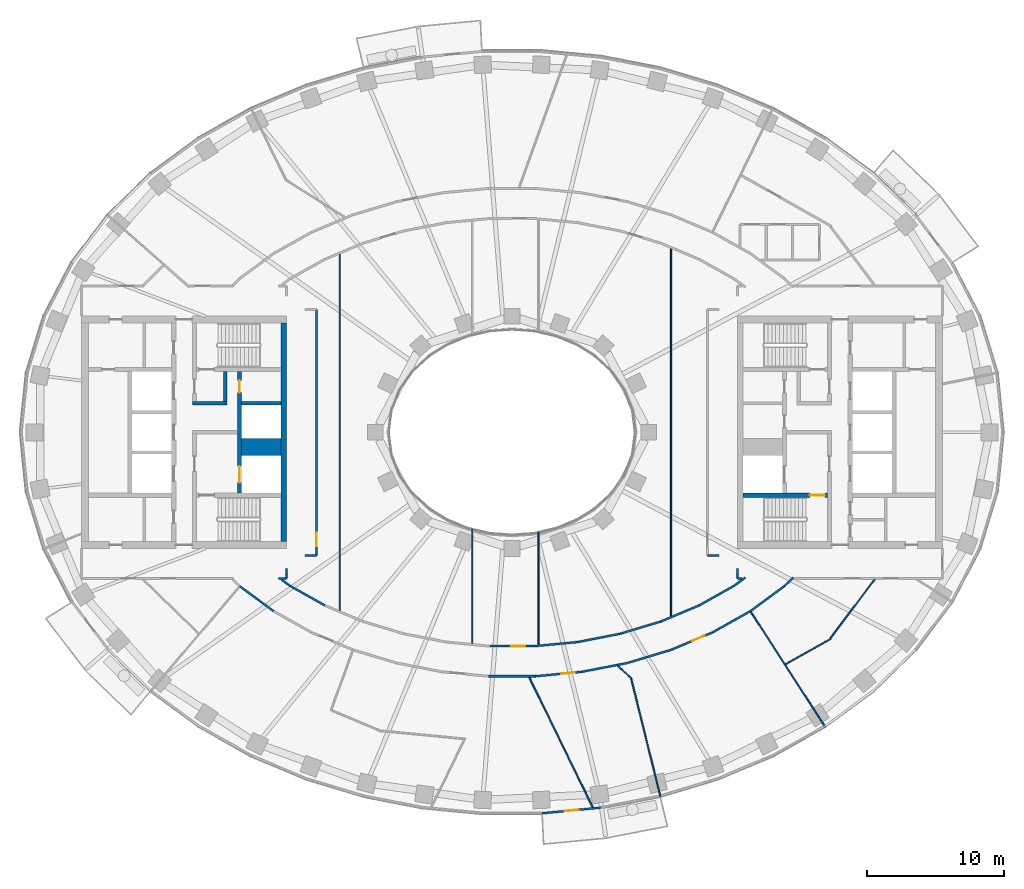
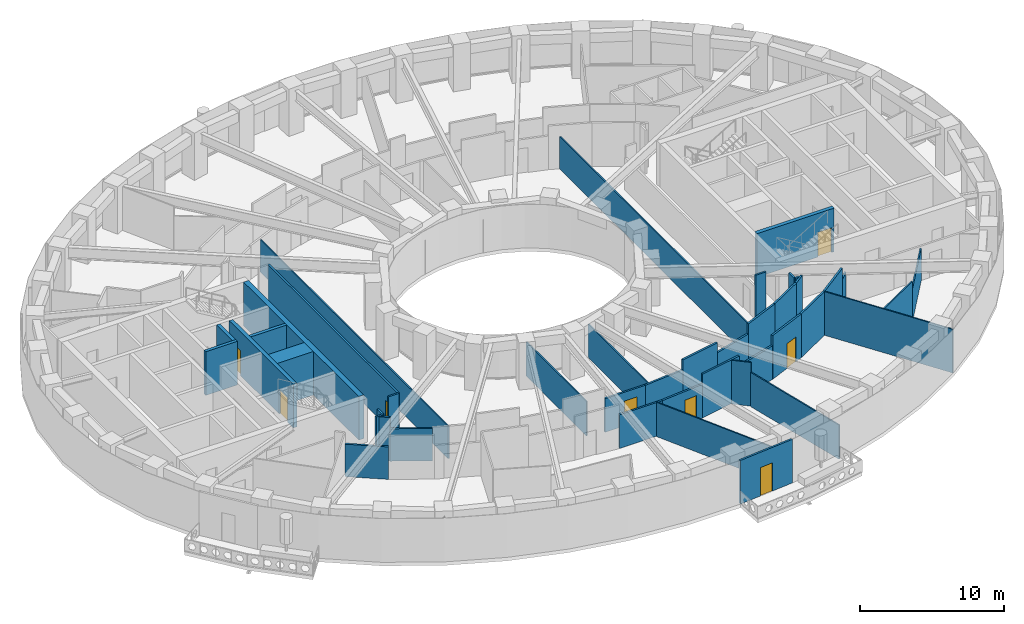
# One storey, part 4 of 17: 43 walls, 8 doors, 8 openings.
"""IFC4 building model written with IfcOpenShell, lengths in metres."""

from ifc_helpers import new_model, si_unit, direction, frame, frame_2d, origin, place, context, subcontext, project, spatial, rectangle, extrude, material, layer, layer_set, type_object, element, fill, save


model = new_model("IFC4")

# Units and contexts
model_context = context("Model", 3, precision=1e-05, world=origin(), true_north=direction((0.0, 1.0)))
body_context = subcontext(model_context, "Body", "Model", "MODEL_VIEW")
ifc_project = project(units=[si_unit("LENGTHUNIT", "METRE"), si_unit("AREAUNIT", "SQUARE_METRE"), si_unit("VOLUMEUNIT", "CUBIC_METRE"), si_unit("PLANEANGLEUNIT", "RADIAN"), si_unit("MASSUNIT", "GRAM", prefix="KILO")], contexts=[model_context])

# Site, building, storey
site_placement = place(None, origin())
site = spatial("IfcSite", under=ifc_project, at=site_placement, CompositionType="ELEMENT")
building_placement = place(site_placement, origin())
building = spatial("IfcBuilding", under=site, at=building_placement, Name="Noorbagh Ring Tower", CompositionType="ELEMENT")
storey_placement = place(building_placement, frame((0.0, 0.0, 120.0)))
storey = spatial("IfcBuildingStorey", under=building, at=storey_placement, Name="L27", CompositionType="ELEMENT", Elevation=120.0)

# Walls
ifc_material_1 = material(Name="Concrete C70/85", Category="concrete")
ifc_layer_1 = layer(ifc_material_1, 1.25)
ifc_layer_set_1 = layer_set([ifc_layer_1], Name="Concrete C70/85")
wall_type_1 = type_object("IfcWallType", Name="CORE-WALL-1250-C70-85-EI120", PredefinedType="SHEAR", material=ifc_layer_set_1)
wall_1_placement = place(storey_placement, frame((-16.89990234375, -1.074951171875, 0.0), z_axis=(0.0, 0.0, 1.0), x_axis=(-1.0, 0.0, 0.0)))
element("IfcWall", 1, at=wall_1_placement, inside=storey, type_object=wall_type_1, Name="Core wall W", PredefinedType="SHEAR", context=body_context, shape_type="SweptSolid", body=[
    extrude(rectangle(XDim=2.900146484375, YDim=1.25, at=frame_2d((1.4501953125, 0.0))), origin(), (0.0, 0.0, 1.0), 3.699951171875),
])
ifc_material_2 = material(Name="Concrete C70/85", Category="concrete")
ifc_layer_2 = layer(ifc_material_2, 0.25)
ifc_layer_set_2 = layer_set([ifc_layer_2], Name="Concrete C70/85")
wall_type_2 = type_object("IfcWallType", Name="CORE-WALL-250-C70-85-EI120", PredefinedType="SHEAR", material=ifc_layer_set_2)
wall_2_placement = place(storey_placement, frame((-16.89990234375, 2.125, 0.0), z_axis=(0.0, 0.0, 1.0), x_axis=(-1.0, 0.0, 0.0)))
element("IfcWall", 2, at=wall_2_placement, inside=storey, type_object=wall_type_2, Name="Core wall W", PredefinedType="SHEAR", context=body_context, shape_type="SweptSolid", body=[
    extrude(rectangle(XDim=2.900146484375, YDim=0.25, at=frame_2d((1.4501953125, 0.0))), origin(), (0.0, 0.0, 1.0), 3.699951171875),
])
ifc_material_3 = material(Name="Concrete C70/85", Category="concrete")
ifc_layer_3 = layer(ifc_material_3, 0.25)
ifc_layer_set_3 = layer_set([ifc_layer_3], Name="Concrete C70/85")
wall_type_3 = type_object("IfcWallType", Name="CORE-WALL-250-C70-85-EI240", PredefinedType="SHEAR", material=ifc_layer_set_3)
wall_3_placement = place(storey_placement, frame((-20.85009765625, 2.125, 0.0), z_axis=(0.0, 0.0, 1.0), x_axis=(-1.0, 0.0, 0.0)))
element("IfcWall", 3, at=wall_3_placement, inside=storey, type_object=wall_type_3, Name="Core wall W", PredefinedType="SHEAR", context=body_context, shape_type="SweptSolid", body=[
    extrude(rectangle(XDim=2.52978515625, YDim=0.25, at=frame_2d((1.264892578125, 0.0))), origin(), (0.0, 0.0, 1.0), 3.699951171875),
])
wall_4_placement = place(storey_placement, frame((-20.97509765625, 2.25, 0.0), z_axis=(0.0, 0.0, 1.0), x_axis=(0.0, 1.0, 0.0)))
element("IfcWall", 4, at=wall_4_placement, inside=storey, type_object=wall_type_3, Name="Core wall W", PredefinedType="SHEAR", context=body_context, shape_type="SweptSolid", body=[
    extrude(rectangle(XDim=2.199951171875, YDim=0.25, at=frame_2d((1.10009765625, 0.0))), origin(), (0.0, 0.0, 1.0), 3.699951171875),
])

# Wall, openings, doors
ifc_material_4 = material(Name="Concrete C70/85", Category="concrete")
ifc_layer_4 = layer(ifc_material_4, 0.300048828125)
ifc_layer_set_4 = layer_set([ifc_layer_4], Name="Concrete C70/85")
wall_type_4 = type_object("IfcWallType", Name="CORE-WALL-300-C70-85-EI120", PredefinedType="SHEAR", material=ifc_layer_set_4)
wall_5_placement = place(storey_placement, frame((-19.949951171875, -4.449951171875, 0.0), z_axis=(0.0, 0.0, 1.0), x_axis=(0.0, 1.0, 0.0)))
wall_5 = element("IfcWall", 5, at=wall_5_placement, inside=storey, type_object=wall_type_4, Name="Core wall W", PredefinedType="SHEAR", context=body_context, shape_type="SweptSolid", body=[
    extrude(rectangle(XDim=8.89990234375, YDim=0.300048828125, at=frame_2d((4.449951171875, 0.0))), origin(), (0.0, 0.0, 1.0), 3.699951171875),
])
opening_1_placement = place(wall_5_placement, frame((0.77490234375, 0.0, 0.0)))
opening_1 = element("IfcOpeningElement", 6, at=opening_1_placement, cuts=wall_5, Name="Opening L27-CW01", PredefinedType="OPENING", context=body_context, shape_type="SweptSolid", body=[
    extrude(rectangle(XDim=1.199951171875, YDim=2.10009765625, at=frame_2d((0.60009765625, 1.050048828125))), frame((0.0, 0.16015625, 0.0), z_axis=(0.0, -1.0, 0.0), x_axis=(1.0, 0.0, 0.0)), (0.0, 0.0, 1.0), 0.320068359375),
])
opening_2_placement = place(wall_5_placement, frame((7.35009765625, 0.0, 0.0)))
opening_2 = element("IfcOpeningElement", 7, at=opening_2_placement, cuts=wall_5, Name="Opening L27-CW11", PredefinedType="OPENING", context=body_context, shape_type="SweptSolid", body=[
    extrude(rectangle(XDim=0.89990234375, YDim=2.10009765625, at=frame_2d((0.449951171875, 1.050048828125))), frame((0.0, 0.16015625, 0.0), z_axis=(0.0, -1.0, 0.0), x_axis=(1.0, 0.0, 0.0)), (0.0, 0.0, 1.0), 0.320068359375),
])
ifc_material_5 = material(Name="Steel door leaf", Category="steel")
door_type_1 = type_object("IfcDoorType", Name="CORE-DOOR-DROOM", OperationType="SINGLE_SWING_LEFT", PredefinedType="DOOR", material=ifc_material_5)
door_1_placement = place(opening_2_placement, origin())
door_1 = element("IfcDoor", 8, at=door_1_placement, inside=storey, type_object=door_type_1, Name="Core room door L27-CW11", OperationType="SINGLE_SWING_LEFT", OverallHeight=2.10009765625, OverallWidth=0.89990234375, PredefinedType="DOOR", context=body_context, shape_type="SweptSolid", body=[
    extrude(rectangle(XDim=0.89990234375, YDim=2.10009765625, at=frame_2d((0.449951171875, 1.050048828125))), frame((0.0, 0.02490234375, 0.0), z_axis=(0.0, -1.0, 0.0), x_axis=(1.0, 0.0, 0.0)), (0.0, 0.0, 1.0), 0.050048828125),
])
fill(opening_2, door_1)
ifc_material_6 = material(Name="Steel door leaf", Category="steel")
door_type_2 = type_object("IfcDoorType", Name="CORE-DOOR-LDW", OperationType="DOUBLE_DOOR_SLIDING", PredefinedType="DOOR", material=ifc_material_6)
door_2_placement = place(opening_1_placement, origin())
door_2 = element("IfcDoor", 9, at=door_2_placement, inside=storey, type_object=door_type_2, Name="Landing door FF1 L27-CW01", OperationType="DOUBLE_DOOR_SLIDING", OverallHeight=2.10009765625, OverallWidth=1.199951171875, PredefinedType="DOOR", context=body_context, shape_type="SweptSolid", body=[
    extrude(rectangle(XDim=1.199951171875, YDim=2.10009765625, at=frame_2d((0.60009765625, 1.050048828125))), frame((0.0, 0.02490234375, 0.0), z_axis=(0.0, -1.0, 0.0), x_axis=(1.0, 0.0, 0.0)), (0.0, 0.0, 1.0), 0.050048828125),
])
fill(opening_1, door_2)

# Wall, opening, door
ifc_material_7 = material(Name="Concrete C70/85", Category="concrete")
ifc_layer_5 = layer(ifc_material_7, 0.300048828125)
ifc_layer_set_5 = layer_set([ifc_layer_5], Name="Concrete C70/85")
wall_type_5 = type_object("IfcWallType", Name="CORE-WALL-300-C70-85-EI240", PredefinedType="SHEAR", material=ifc_layer_set_5)
wall_6_placement = place(storey_placement, frame((16.89990234375, -4.60009765625, 0.0), z_axis=(0.0, 0.0, 1.0), x_axis=(1.0, 0.0, 0.0)))
wall_6 = element("IfcWall", 10, at=wall_6_placement, inside=storey, type_object=wall_type_5, Name="Core wall E", PredefinedType="SHEAR", context=body_context, shape_type="SweptSolid", body=[
    extrude(rectangle(XDim=6.18017578125, YDim=0.300048828125, at=frame_2d((3.090087890625, 0.0))), origin(), (0.0, 0.0, 1.0), 3.699951171875),
])
opening_3_placement = place(wall_6_placement, frame((4.89990234375, 0.0, 0.0)))
opening_3 = element("IfcOpeningElement", 11, at=opening_3_placement, cuts=wall_6, Name="Opening L27-CE06", PredefinedType="OPENING", context=body_context, shape_type="SweptSolid", body=[
    extrude(rectangle(XDim=1.10009765625, YDim=2.10009765625, at=frame_2d((0.550048828125, 1.050048828125))), frame((0.0, 0.16015625, 0.0), z_axis=(0.0, -1.0, 0.0), x_axis=(1.0, 0.0, 0.0)), (0.0, 0.0, 1.0), 0.320068359375),
])
ifc_material_8 = material(Name="Steel door leaf", Category="steel")
door_type_3 = type_object("IfcDoorType", Name="CORE-DOOR-DSTAIR", OperationType="SINGLE_SWING_LEFT", PredefinedType="DOOR", material=ifc_material_8)
door_3_placement = place(opening_3_placement, origin())
door_3 = element("IfcDoor", 12, at=door_3_placement, inside=storey, type_object=door_type_3, Name="Stair door ST4 L27-CE06", OperationType="SINGLE_SWING_RIGHT", OverallHeight=2.10009765625, OverallWidth=1.10009765625, PredefinedType="DOOR", context=body_context, shape_type="SweptSolid", body=[
    extrude(rectangle(XDim=1.10009765625, YDim=2.10009765625, at=frame_2d((0.550048828125, 1.050048828125))), frame((0.0, 0.02490234375, 0.0), z_axis=(0.0, -1.0, 0.0), x_axis=(1.0, 0.0, 0.0)), (0.0, 0.0, 1.0), 0.050048828125),
])
fill(opening_3, door_3)

# Walls
ifc_material_9 = material(Name="Concrete C70/85", Category="concrete")
ifc_layer_6 = layer(ifc_material_9, 0.39990234375)
ifc_layer_set_6 = layer_set([ifc_layer_6], Name="Concrete C70/85")
wall_type_6 = type_object("IfcWallType", Name="CORE-WALL-400-C70-85-EI240", PredefinedType="SHEAR", material=ifc_layer_set_6)
wall_7_placement = place(storey_placement, frame((-16.699951171875, -8.0, 0.0), z_axis=(0.0, 0.0, 1.0), x_axis=(0.0, 1.0, 0.0)))
element("IfcWall", 13, at=wall_7_placement, inside=storey, type_object=wall_type_6, Name="Core wall W", PredefinedType="SHEAR", context=body_context, shape_type="SweptSolid", body=[
    extrude(rectangle(XDim=16.0, YDim=0.39990234375, at=frame_2d((8.0, 0.0))), origin(), (0.0, 0.0, 1.0), 3.699951171875),
])
ifc_material_10 = material(Name="Gypsum board on steel studs", Category="steel")
ifc_layer_7 = layer(ifc_material_10, 0.14990234375)
ifc_layer_set_7 = layer_set([ifc_layer_7], Name="Gypsum board on steel studs")
wall_type_7 = type_object("IfcWallType", Name="CORRIDOR PARTITION 150 EI 30", PredefinedType="PARTITIONING", material=ifc_layer_set_7)
wall_8_placement = place(storey_placement, frame((-19.903076171875, -11.27197265625, 0.0), z_axis=(0.0, 0.0, 1.0), x_axis=(0.805228684186, -0.592964388613, 0.0)))
element("IfcWall", 14, at=wall_8_placement, inside=storey, type_object=wall_type_7, Name="L27/wall/P15", PredefinedType="PARTITIONING", context=body_context, shape_type="SweptSolid", body=[
    extrude(rectangle(XDim=3.052490234375, YDim=0.14990234375, at=frame_2d((1.5263671875, 0.0))), origin(), (0.0, 0.0, 1.0), 2.75),
])
wall_9_placement = place(storey_placement, frame((-17.094970703125, -10.699951171875, 0.0), z_axis=(0.0, 0.0, 1.0), x_axis=(1.0, 0.0, 0.0)))
element("IfcWall", 15, at=wall_9_placement, inside=storey, type_object=wall_type_7, Name="L27/wall/P19", PredefinedType="PARTITIONING", context=body_context, shape_type="SweptSolid", body=[
    extrude(rectangle(XDim=0.594970703125, YDim=0.14990234375, at=frame_2d((0.29736328125, 0.0))), origin(), (0.0, 0.0, 1.0), 3.699951171875),
])
wall_10_placement = place(storey_placement, frame((-16.866943359375, -10.77490234375, 0.0), z_axis=(0.0, 0.0, 1.0), x_axis=(0.804751563869, -0.593611759023, 0.0)))
element("IfcWall", 16, at=wall_10_placement, inside=storey, type_object=wall_type_7, Name="L27/wall/P20", PredefinedType="PARTITIONING", context=body_context, shape_type="SweptSolid", body=[
    extrude(rectangle(XDim=0.7666015625, YDim=0.14990234375, at=frame_2d((0.38330078125, 0.0))), origin(), (0.0, 0.0, 1.0), 3.699951171875),
])
wall_11_placement = place(storey_placement, frame((-16.5, -10.699951171875, 0.0), z_axis=(0.0, 0.0, 1.0), x_axis=(0.0, 1.0, 0.0)))
element("IfcWall", 17, at=wall_11_placement, inside=storey, type_object=wall_type_7, Name="L27/wall/P24", PredefinedType="PARTITIONING", context=body_context, shape_type="SweptSolid", body=[
    extrude(rectangle(XDim=0.73583984375, YDim=0.14990234375, at=frame_2d((0.367919921875, 0.0))), origin(), (0.0, 0.0, 1.0), 3.699951171875),
])
wall_12_placement = place(storey_placement, frame((-16.25, -11.22998046875, 0.0), z_axis=(0.0, 0.0, 1.0), x_axis=(0.872147381065, -0.489243237767, 0.0)))
element("IfcWall", 18, at=wall_12_placement, inside=storey, type_object=wall_type_7, Name="L27/wall/P26", PredefinedType="PARTITIONING", context=body_context, shape_type="SweptSolid", body=[
    extrude(rectangle(XDim=2.92724609375, YDim=0.14990234375, at=frame_2d((1.463623046875, 0.0))), origin(), (0.0, 0.0, 1.0), 2.75),
])
wall_13_placement = place(storey_placement, frame((-15.134033203125, -9.0, 0.0), z_axis=(0.0, 0.0, 1.0), x_axis=(1.0, 0.0, 0.0)))
element("IfcWall", 19, at=wall_13_placement, inside=storey, type_object=wall_type_7, Name="L27/wall/P28", PredefinedType="PARTITIONING", context=body_context, shape_type="SweptSolid", body=[
    extrude(rectangle(XDim=0.833984375, YDim=0.14990234375, at=frame_2d((0.4169921875, 0.0))), origin(), (0.0, 0.0, 1.0), 3.699951171875),
])

# Wall, opening, door
wall_14_placement = place(storey_placement, frame((-14.300048828125, -9.0, 0.0), z_axis=(0.0, 0.0, 1.0), x_axis=(0.0, 1.0, 0.0)))
wall_14 = element("IfcWall", 20, at=wall_14_placement, inside=storey, type_object=wall_type_7, Name="L27/wall/P32", PredefinedType="PARTITIONING", context=body_context, shape_type="SweptSolid", body=[
    extrude(rectangle(XDim=18.0, YDim=0.14990234375, at=frame_2d((9.0, 0.0))), origin(), (0.0, 0.0, 1.0), 3.699951171875),
])
opening_4_placement = place(wall_14_placement, frame((0.64990234375, 0.0, 0.0)))
opening_4 = element("IfcOpeningElement", 21, at=opening_4_placement, cuts=wall_14, Name="Opening D1", PredefinedType="OPENING", context=body_context, shape_type="SweptSolid", body=[
    extrude(rectangle(XDim=1.0, YDim=2.10009765625, at=frame_2d((0.5, 1.050048828125))), frame((0.0, 0.0849609375, 0.0), z_axis=(0.0, -1.0, 0.0), x_axis=(1.0, 0.0, 0.0)), (0.0, 0.0, 1.0), 0.169921875),
])
ifc_material_11 = material(Name="Timber, painted", Category="wood")
door_type_4 = type_object("IfcDoorType", Name="DOOR 1000 X 2100 FD30", OperationType="SINGLE_SWING_LEFT", PredefinedType="DOOR", material=ifc_material_11)
door_4_placement = place(opening_4_placement, origin())
door_4 = element("IfcDoor", 22, at=door_4_placement, inside=storey, type_object=door_type_4, Name="L27-D19", OperationType="SINGLE_SWING_LEFT", OverallHeight=2.10009765625, OverallWidth=1.0, PredefinedType="DOOR", context=body_context, shape_type="SweptSolid", body=[
    extrude(rectangle(XDim=1.0, YDim=2.10009765625, at=frame_2d((0.5, 1.050048828125))), frame((0.0, 0.02490234375, 0.0), z_axis=(0.0, -1.0, 0.0), x_axis=(1.0, 0.0, 0.0)), (0.0, 0.0, 1.0), 0.050048828125),
])
fill(opening_4, door_4)

# Wall
wall_15_placement = place(storey_placement, frame((-1.7119140625, -17.847900390625, 0.0), z_axis=(0.0, 0.0, 1.0), x_axis=(1.0, 0.0, 0.0)))
element("IfcWall", 23, at=wall_15_placement, inside=storey, type_object=wall_type_7, Name="L27/wall/P54", PredefinedType="PARTITIONING", context=body_context, shape_type="SweptSolid", body=[
    extrude(rectangle(XDim=3.423828125, YDim=0.14990234375, at=frame_2d((1.7119140625, 0.0))), origin(), (0.0, 0.0, 1.0), 2.85009765625),
])

# Wall, opening, door
wall_16_placement = place(storey_placement, frame((-1.60791015625, -15.64794921875, 0.0), z_axis=(0.0, 0.0, 1.0), x_axis=(1.0, 0.0, 0.0)))
wall_16 = element("IfcWall", 24, at=wall_16_placement, inside=storey, type_object=wall_type_7, Name="L27/wall/P56", PredefinedType="PARTITIONING", context=body_context, shape_type="SweptSolid", body=[
    extrude(rectangle(XDim=3.2158203125, YDim=0.14990234375, at=frame_2d((1.60791015625, 0.0))), origin(), (0.0, 0.0, 1.0), 2.85009765625),
])
opening_5_placement = place(wall_16_placement, frame((1.56591796875, 0.0, 0.0)))
opening_5 = element("IfcOpeningElement", 25, at=opening_5_placement, cuts=wall_16, Name="Opening D1", PredefinedType="OPENING", context=body_context, shape_type="SweptSolid", body=[
    extrude(rectangle(XDim=1.0, YDim=2.10009765625, at=frame_2d((0.5, 1.050048828125))), frame((0.0, 0.0849609375, 0.0), z_axis=(0.0, -1.0, 0.0), x_axis=(1.0, 0.0, 0.0)), (0.0, 0.0, 1.0), 0.169921875),
])
door_5_placement = place(opening_5_placement, origin())
door_5 = element("IfcDoor", 26, at=door_5_placement, inside=storey, type_object=door_type_4, Name="L27-D21", OperationType="SINGLE_SWING_LEFT", OverallHeight=2.10009765625, OverallWidth=1.0, PredefinedType="DOOR", context=body_context, shape_type="SweptSolid", body=[
    extrude(rectangle(XDim=1.0, YDim=2.10009765625, at=frame_2d((0.5, 1.050048828125))), frame((0.0, 0.02490234375, 0.0), z_axis=(0.0, -1.0, 0.0), x_axis=(1.0, 0.0, 0.0)), (0.0, 0.0, 1.0), 0.050048828125),
])
fill(opening_5, door_5)

# Wall
wall_17_placement = place(storey_placement, frame((1.60791015625, -15.64794921875, 0.0), z_axis=(0.0, 0.0, 1.0), x_axis=(0.995491705426, 0.09484863957, 0.0)))
element("IfcWall", 27, at=wall_17_placement, inside=storey, type_object=wall_type_7, Name="L27/wall/P61", PredefinedType="PARTITIONING", context=body_context, shape_type="SweptSolid", body=[
    extrude(rectangle(XDim=3.20458984375, YDim=0.14990234375, at=frame_2d((1.602294921875, 0.0))), origin(), (0.0, 0.0, 1.0), 2.85009765625),
])

# Wall, opening, door
wall_18_placement = place(storey_placement, frame((1.7119140625, -17.847900390625, 0.0), z_axis=(0.0, 0.0, 1.0), x_axis=(0.995466844572, 0.095109207532, 0.0)))
wall_18 = element("IfcWall", 28, at=wall_18_placement, inside=storey, type_object=wall_type_7, Name="L27/wall/P63", PredefinedType="PARTITIONING", context=body_context, shape_type="SweptSolid", body=[
    extrude(rectangle(XDim=3.41650390625, YDim=0.14990234375, at=frame_2d((1.708251953125, 0.0))), origin(), (0.0, 0.0, 1.0), 2.85009765625),
])
opening_6_placement = place(wall_18_placement, frame((1.89990234375, 0.0, 0.0)))
opening_6 = element("IfcOpeningElement", 29, at=opening_6_placement, cuts=wall_18, Name="Opening D1", PredefinedType="OPENING", context=body_context, shape_type="SweptSolid", body=[
    extrude(rectangle(XDim=1.0, YDim=2.10009765625, at=frame_2d((0.5, 1.050048828125))), frame((0.0, 0.0849609375, 0.0), z_axis=(0.0, -1.0, 0.0), x_axis=(1.0, 0.0, 0.0)), (0.0, 0.0, 1.0), 0.169921875),
])
door_6_placement = place(opening_6_placement, origin())
door_6 = element("IfcDoor", 30, at=door_6_placement, inside=storey, type_object=door_type_4, Name="L27-D12", OperationType="SINGLE_SWING_RIGHT", OverallHeight=2.10009765625, OverallWidth=1.0, PredefinedType="DOOR", context=body_context, shape_type="SweptSolid", body=[
    extrude(rectangle(XDim=1.0, YDim=2.10009765625, at=frame_2d((0.5, 1.050048828125))), frame((0.0, 0.02490234375, 0.0), z_axis=(0.0, -1.0, 0.0), x_axis=(1.0, 0.0, 0.0)), (0.0, 0.0, 1.0), 0.050048828125),
])
fill(opening_6, door_6)

# Walls
wall_19_placement = place(storey_placement, frame((4.798095703125, -15.343994140625, 0.0), z_axis=(0.0, 0.0, 1.0), x_axis=(0.981588545092, 0.191007665145, 0.0)))
element("IfcWall", 31, at=wall_19_placement, inside=storey, type_object=wall_type_7, Name="L27/wall/P67", PredefinedType="PARTITIONING", context=body_context, shape_type="SweptSolid", body=[
    extrude(rectangle(XDim=3.17236328125, YDim=0.14990234375, at=frame_2d((1.586181640625, 0.0))), origin(), (0.0, 0.0, 1.0), 3.699951171875),
])
wall_20_placement = place(storey_placement, frame((5.113037109375, -17.52294921875, 0.0), z_axis=(0.0, 0.0, 1.0), x_axis=(0.981690354374, 0.19048372143, 0.0)))
element("IfcWall", 32, at=wall_20_placement, inside=storey, type_object=wall_type_7, Name="L27/wall/P69", PredefinedType="PARTITIONING", context=body_context, shape_type="SweptSolid", body=[
    extrude(rectangle(XDim=3.36962890625, YDim=0.14990234375, at=frame_2d((1.684814453125, 0.0))), origin(), (0.0, 0.0, 1.0), 3.699951171875),
])
wall_21_placement = place(storey_placement, frame((7.912109375, -14.738037109375, 0.0), z_axis=(0.0, 0.0, 1.0), x_axis=(0.957606118849, 0.28808075455, 0.0)))
element("IfcWall", 33, at=wall_21_placement, inside=storey, type_object=wall_type_7, Name="L27/wall/P72", PredefinedType="PARTITIONING", context=body_context, shape_type="SweptSolid", body=[
    extrude(rectangle(XDim=3.116943359375, YDim=0.14990234375, at=frame_2d((1.55859375, 0.0))), origin(), (0.0, 0.0, 1.0), 2.85009765625),
])
wall_22_placement = place(storey_placement, frame((8.43994140625, -16.876953125, 0.0), z_axis=(0.0, 0.0, 1.0), x_axis=(0.957584891346, 0.288151307243, 0.0)))
element("IfcWall", 34, at=wall_22_placement, inside=storey, type_object=wall_type_7, Name="L27/wall/P74", PredefinedType="PARTITIONING", context=body_context, shape_type="SweptSolid", body=[
    extrude(rectangle(XDim=3.344970703125, YDim=0.14990234375, at=frame_2d((1.67236328125, 0.0))), origin(), (0.0, 0.0, 1.0), 2.85009765625),
])
wall_23_placement = place(storey_placement, frame((10.89697265625, -13.840087890625, 0.0), z_axis=(0.0, 0.0, 1.0), x_axis=(0.921751821358, 0.387780324183, 0.0)))
element("IfcWall", 35, at=wall_23_placement, inside=storey, type_object=wall_type_7, Name="L27/wall/P77", PredefinedType="PARTITIONING", context=body_context, shape_type="SweptSolid", body=[
    extrude(rectangle(XDim=3.037841796875, YDim=0.14990234375, at=frame_2d((1.51904296875, 0.0))), origin(), (0.0, 0.0, 1.0), 3.699951171875),
])

# Wall, opening, door
wall_24_placement = place(storey_placement, frame((11.64306640625, -15.9130859375, 0.0), z_axis=(0.0, 0.0, 1.0), x_axis=(0.921789499058, 0.38769075231, 0.0)))
wall_24 = element("IfcWall", 36, at=wall_24_placement, inside=storey, type_object=wall_type_7, Name="L27/wall/P80", PredefinedType="PARTITIONING", context=body_context, shape_type="SweptSolid", body=[
    extrude(rectangle(XDim=3.2783203125, YDim=0.14990234375, at=frame_2d((1.63916015625, 0.0))), origin(), (0.0, 0.0, 1.0), 3.699951171875),
])
opening_7_placement = place(wall_24_placement, frame((1.64990234375, 0.0, 0.0)))
opening_7 = element("IfcOpeningElement", 37, at=opening_7_placement, cuts=wall_24, Name="Opening D1", PredefinedType="OPENING", context=body_context, shape_type="SweptSolid", body=[
    extrude(rectangle(XDim=1.0, YDim=2.10009765625, at=frame_2d((0.5, 1.050048828125))), frame((0.0, 0.0849609375, 0.0), z_axis=(0.0, -1.0, 0.0), x_axis=(1.0, 0.0, 0.0)), (0.0, 0.0, 1.0), 0.169921875),
])
door_7_placement = place(opening_7_placement, origin())
door_7 = element("IfcDoor", 38, at=door_7_placement, inside=storey, type_object=door_type_4, Name="L27-D14", OperationType="SINGLE_SWING_RIGHT", OverallHeight=2.10009765625, OverallWidth=1.0, PredefinedType="DOOR", context=body_context, shape_type="SweptSolid", body=[
    extrude(rectangle(XDim=1.0, YDim=2.10009765625, at=frame_2d((0.5, 1.050048828125))), frame((0.0, 0.02490234375, 0.0), z_axis=(0.0, -1.0, 0.0), x_axis=(1.0, 0.0, 0.0)), (0.0, 0.0, 1.0), 0.050048828125),
])
fill(opening_7, door_7)

# Walls
wall_25_placement = place(storey_placement, frame((13.697021484375, -12.662109375, 0.0), z_axis=(0.0, 0.0, 1.0), x_axis=(0.872147381065, 0.489243237767, 0.0)))
element("IfcWall", 39, at=wall_25_placement, inside=storey, type_object=wall_type_7, Name="L27/wall/P82", PredefinedType="PARTITIONING", context=body_context, shape_type="SweptSolid", body=[
    extrude(rectangle(XDim=2.92724609375, YDim=0.14990234375, at=frame_2d((1.463623046875, 0.0))), origin(), (0.0, 0.0, 1.0), 3.699951171875),
])
wall_26_placement = place(storey_placement, frame((14.300048828125, -9.0, 0.0), z_axis=(0.0, 0.0, 1.0), x_axis=(1.0, 0.0, 0.0)))
element("IfcWall", 40, at=wall_26_placement, inside=storey, type_object=wall_type_7, Name="L27/wall/P85", PredefinedType="PARTITIONING", context=body_context, shape_type="SweptSolid", body=[
    extrude(rectangle(XDim=0.833984375, YDim=0.14990234375, at=frame_2d((0.4169921875, 0.0))), origin(), (0.0, 0.0, 1.0), 3.699951171875),
])
wall_27_placement = place(storey_placement, frame((14.6650390625, -14.64208984375, 0.0), z_axis=(0.0, 0.0, 1.0), x_axis=(0.871997056828, 0.4895111162, 0.0)))
element("IfcWall", 41, at=wall_27_placement, inside=storey, type_object=wall_type_7, Name="L27/wall/P87", PredefinedType="PARTITIONING", context=body_context, shape_type="SweptSolid", body=[
    extrude(rectangle(XDim=3.16845703125, YDim=0.14990234375, at=frame_2d((1.584228515625, 0.0))), origin(), (0.0, 0.0, 1.0), 3.699951171875),
])
wall_28_placement = place(storey_placement, frame((16.25, -11.22998046875, 0.0), z_axis=(0.0, 0.0, 1.0), x_axis=(0.805055837353, 0.59319903805, 0.0)))
element("IfcWall", 42, at=wall_28_placement, inside=storey, type_object=wall_type_7, Name="L27/wall/P90", PredefinedType="PARTITIONING", context=body_context, shape_type="SweptSolid", body=[
    extrude(rectangle(XDim=1.019775390625, YDim=0.14990234375, at=frame_2d((0.509765625, 0.0))), origin(), (0.0, 0.0, 1.0), 3.699951171875),
])
wall_29_placement = place(storey_placement, frame((16.5, -10.699951171875, 0.0), z_axis=(0.0, 0.0, 1.0), x_axis=(0.0, 1.0, 0.0)))
element("IfcWall", 43, at=wall_29_placement, inside=storey, type_object=wall_type_7, Name="L27/wall/P92", PredefinedType="PARTITIONING", context=body_context, shape_type="SweptSolid", body=[
    extrude(rectangle(XDim=0.73583984375, YDim=0.14990234375, at=frame_2d((0.367919921875, 0.0))), origin(), (0.0, 0.0, 1.0), 3.699951171875),
])
wall_30_placement = place(storey_placement, frame((16.5, -10.699951171875, 0.0), z_axis=(0.0, 0.0, 1.0), x_axis=(1.0, 0.0, 0.0)))
element("IfcWall", 44, at=wall_30_placement, inside=storey, type_object=wall_type_7, Name="L27/wall/P93", PredefinedType="PARTITIONING", context=body_context, shape_type="SweptSolid", body=[
    extrude(rectangle(XDim=0.343017578125, YDim=0.14990234375, at=frame_2d((0.17138671875, 0.0))), origin(), (0.0, 0.0, 1.0), 3.699951171875),
])
wall_31_placement = place(storey_placement, frame((17.4609375, -13.070068359375, 0.0), z_axis=(0.0, 0.0, 1.0), x_axis=(0.805228684186, 0.592964388613, 0.0)))
element("IfcWall", 45, at=wall_31_placement, inside=storey, type_object=wall_type_7, Name="L27/wall/P101", PredefinedType="PARTITIONING", context=body_context, shape_type="SweptSolid", body=[
    extrude(rectangle(XDim=3.052490234375, YDim=0.14990234375, at=frame_2d((1.5263671875, 0.0))), origin(), (0.0, 0.0, 1.0), 3.699951171875),
])
wall_32_placement = place(storey_placement, frame((19.9189453125, -11.260009765625, 0.0), z_axis=(0.0, 0.0, 1.0), x_axis=(0.716953986293, 0.697120492841, 0.0)))
element("IfcWall", 46, at=wall_32_placement, inside=storey, type_object=wall_type_7, Name="L27/wall/P104", PredefinedType="PARTITIONING", context=body_context, shape_type="SweptSolid", body=[
    extrude(rectangle(XDim=0.910888671875, YDim=0.14990234375, at=frame_2d((0.45556640625, 0.0))), origin(), (0.0, 0.0, 1.0), 2.75),
])

# Wall, opening, door
ifc_material_12 = material(Name="Insulated aluminium clad panel", Category="aluminium")
ifc_layer_8 = layer(ifc_material_12, 0.14990234375)
ifc_layer_set_8 = layer_set([ifc_layer_8], Name="Insulated aluminium clad panel")
wall_type_8 = type_object("IfcWallType", Name="ENV-WALL-DOOR", PredefinedType="STANDARD", material=ifc_layer_set_8)
wall_33_placement = place(storey_placement, frame((2.166259765625, -27.875244140625, 0.0), z_axis=(0.0, 0.0, 1.0), x_axis=(0.995473879823, 0.095035543824, 0.0)))
wall_33 = element("IfcWall", 47, at=wall_33_placement, inside=storey, type_object=wall_type_8, Name="Balcony door wall chord 36", PredefinedType="STANDARD", context=body_context, shape_type="SweptSolid", body=[
    extrude(rectangle(XDim=4.42626953125, YDim=0.14990234375, at=frame_2d((2.213134765625, 0.0))), origin(), (0.0, 0.0, 1.0), 3.699951171875),
])
opening_8_placement = place(wall_33_placement, frame((1.713134765625, 0.0, 0.0)))
opening_8 = element("IfcOpeningElement", 48, at=opening_8_placement, cuts=wall_33, Name="Opening D-BL", PredefinedType="OPENING", context=body_context, shape_type="SweptSolid", body=[
    extrude(rectangle(XDim=1.0, YDim=2.39990234375, at=frame_2d((0.5, 1.199951171875))), frame((0.0, 0.0849609375, 0.0), z_axis=(0.0, -1.0, 0.0), x_axis=(1.0, 0.0, 0.0)), (0.0, 0.0, 1.0), 0.169921875),
])
ifc_material_13 = material(Name="Aluminium and glass", Category="aluminium")
door_type_5 = type_object("IfcDoorType", Name="ENV-DOOR-BALCONY", OperationType="SINGLE_SWING_LEFT", PredefinedType="DOOR", material=ifc_material_13)
door_8_placement = place(opening_8_placement, origin())
door_8 = element("IfcDoor", 49, at=door_8_placement, inside=storey, type_object=door_type_5, Name="Balcony door chord 36", OperationType="SINGLE_SWING_RIGHT", OverallHeight=2.39990234375, OverallWidth=1.0, PredefinedType="DOOR", context=body_context, shape_type="SweptSolid", body=[
    extrude(rectangle(XDim=1.0, YDim=2.39990234375, at=frame_2d((0.5, 1.199951171875))), frame((0.0, 0.02490234375, 0.0), z_axis=(0.0, -1.0, 0.0), x_axis=(1.0, 0.0, 0.0)), (0.0, 0.0, 1.0), 0.050048828125),
])
fill(opening_8, door_8)

# Walls
ifc_material_14 = material(Name="Gypsum board on steel studs", Category="steel")
ifc_layer_9 = layer(ifc_material_14, 0.10009765625)
ifc_layer_set_9 = layer_set([ifc_layer_9], Name="Gypsum board on steel studs")
wall_type_9 = type_object("IfcWallType", Name="PARTITION 100 GYPSUM", PredefinedType="PARTITIONING", material=ifc_layer_set_9)
wall_34_placement = place(storey_placement, frame((-12.60498046875, -13.035888671875, 0.0), z_axis=(0.0, 0.0, 1.0), x_axis=(0.0, 1.0, 0.0)))
element("IfcWall", 50, at=wall_34_placement, inside=storey, type_object=wall_type_9, Name="L27/wall/P37", PredefinedType="PARTITIONING", context=body_context, shape_type="SweptSolid", body=[
    extrude(rectangle(XDim=26.07177734375, YDim=0.10009765625, at=frame_2d((13.035888671875, 0.0))), origin(), (0.0, 0.0, 1.0), 2.75),
])
wall_35_placement = place(storey_placement, frame((-2.908935546875, -15.445068359375, 0.0), z_axis=(0.0, 0.0, 1.0), x_axis=(0.0, 1.0, 0.0)))
element("IfcWall", 51, at=wall_35_placement, inside=storey, type_object=wall_type_9, Name="L27/wall/P52", PredefinedType="PARTITIONING", context=body_context, shape_type="SweptSolid", body=[
    extrude(rectangle(XDim=8.363037109375, YDim=0.10009765625, at=frame_2d((4.181640625, 0.0))), origin(), (0.0, 0.0, 1.0), 2.89990234375),
])
wall_36_placement = place(storey_placement, frame((1.257080078125, -17.923095703125, 0.0), z_axis=(0.0, 0.0, 1.0), x_axis=(0.439339826825, -0.898320942963, 0.0)))
element("IfcWall", 52, at=wall_36_placement, inside=storey, type_object=wall_type_9, Name="L27/wall/P60", PredefinedType="PARTITIONING", context=body_context, shape_type="SweptSolid", body=[
    extrude(rectangle(XDim=10.7021484375, YDim=0.10009765625, at=frame_2d((5.35107421875, 0.0))), origin(), (0.0, 0.0, 1.0), 2.89990234375),
])
wall_37_placement = place(storey_placement, frame((1.93896484375, -15.537109375, 0.0), z_axis=(0.0, 0.0, 1.0), x_axis=(0.0, 1.0, 0.0)))
element("IfcWall", 53, at=wall_37_placement, inside=storey, type_object=wall_type_9, Name="L27/wall/P65", PredefinedType="PARTITIONING", context=body_context, shape_type="SweptSolid", body=[
    extrude(rectangle(XDim=8.230224609375, YDim=0.10009765625, at=frame_2d((4.115234375, 0.0))), origin(), (0.0, 0.0, 1.0), 2.85009765625),
])
wall_38_placement = place(storey_placement, frame((7.72802734375, -17.094970703125, 0.0), z_axis=(0.0, 0.0, 1.0), x_axis=(0.749403770292, -0.662113275106, 0.0)))
element("IfcWall", 54, at=wall_38_placement, inside=storey, type_object=wall_type_9, Name="L27/wall/P71", PredefinedType="PARTITIONING", context=body_context, shape_type="SweptSolid", body=[
    extrude(rectangle(XDim=1.395751953125, YDim=0.10009765625, at=frame_2d((0.69775390625, 0.0))), origin(), (0.0, 0.0, 1.0), 3.699951171875),
])
wall_39_placement = place(storey_placement, frame((8.72900390625, -18.0458984375, 0.0), z_axis=(0.0, 0.0, 1.0), x_axis=(0.240109518445, -0.970745805632, 0.0)))
element("IfcWall", 55, at=wall_39_placement, inside=storey, type_object=wall_type_9, Name="L27/wall/P76", PredefinedType="PARTITIONING", context=body_context, shape_type="SweptSolid", body=[
    extrude(rectangle(XDim=8.858154296875, YDim=0.10009765625, at=frame_2d((4.42919921875, 0.0))), origin(), (0.0, 0.0, 1.0), 2.89990234375),
])
wall_40_placement = place(storey_placement, frame((11.635986328125, -13.444091796875, 0.0), z_axis=(0.0, 0.0, 1.0), x_axis=(0.0, 1.0, 0.0)))
element("IfcWall", 56, at=wall_40_placement, inside=storey, type_object=wall_type_9, Name="L27/wall/P79", PredefinedType="PARTITIONING", context=body_context, shape_type="SweptSolid", body=[
    extrude(rectangle(XDim=26.88818359375, YDim=0.10009765625, at=frame_2d((13.444091796875, 0.0))), origin(), (0.0, 0.0, 1.0), 2.75),
])
wall_41_placement = place(storey_placement, frame((17.447021484375, -13.0849609375, 0.0), z_axis=(0.0, 0.0, 1.0), x_axis=(0.542325736183, -0.840168314015, 0.0)))
element("IfcWall", 57, at=wall_41_placement, inside=storey, type_object=wall_type_9, Name="L27/wall/P100", PredefinedType="PARTITIONING", context=body_context, shape_type="SweptSolid", body=[
    extrude(rectangle(XDim=10.06591796875, YDim=0.10009765625, at=frame_2d((5.032958984375, 0.0))), origin(), (0.0, 0.0, 1.0), 3.699951171875),
])
wall_42_placement = place(storey_placement, frame((20.014892578125, -16.969970703125, 0.0), z_axis=(0.0, 0.0, 1.0), x_axis=(0.871018559545, 0.491250108324, 0.0)))
element("IfcWall", 58, at=wall_42_placement, inside=storey, type_object=wall_type_9, Name="L27/wall/P106", PredefinedType="PARTITIONING", context=body_context, shape_type="SweptSolid", body=[
    extrude(rectangle(XDim=3.808349609375, YDim=0.10009765625, at=frame_2d((1.904296875, 0.0))), origin(), (0.0, 0.0, 1.0), 3.699951171875),
])
wall_43_placement = place(storey_placement, frame((23.298095703125, -15.06005859375, 0.0), z_axis=(0.0, 0.0, 1.0), x_axis=(0.601658833238, 0.798753183647, 0.0)))
element("IfcWall", 59, at=wall_43_placement, inside=storey, type_object=wall_type_9, Name="L27/wall/P111", PredefinedType="PARTITIONING", context=body_context, shape_type="SweptSolid", body=[
    extrude(rectangle(XDim=5.36474609375, YDim=0.10009765625, at=frame_2d((2.682373046875, 0.0))), origin(), (0.0, 0.0, 1.0), 2.75),
])

save(model, "model.ifc")
